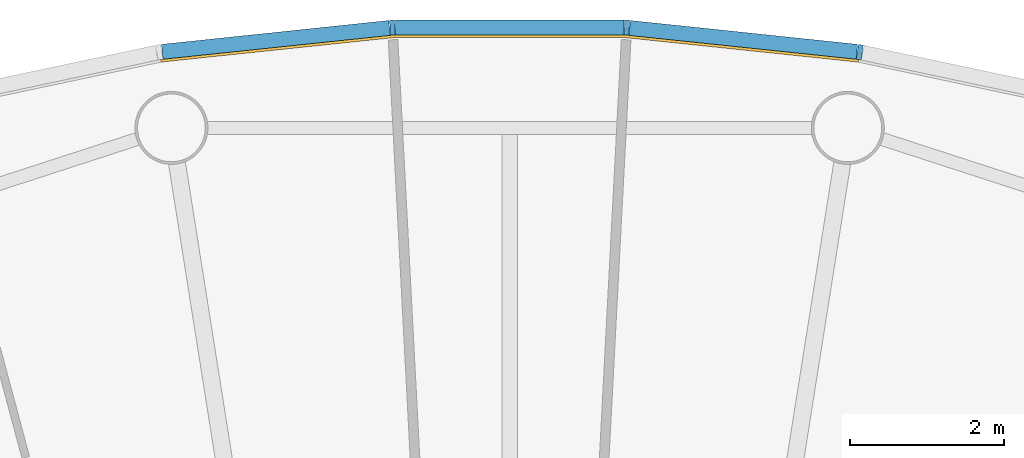
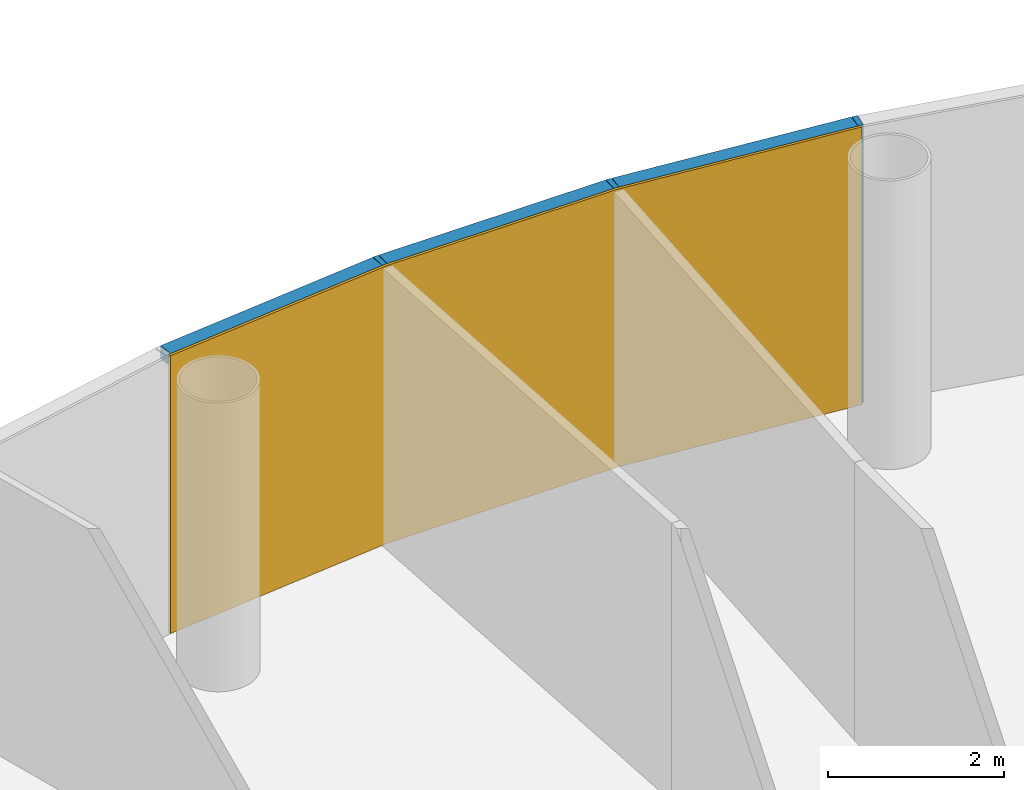
# One storey, part 11 of 13: 6 members, 1 curtain wall.
"""IFC4 building model written with IfcOpenShell, lengths in metres."""

from ifc_helpers import new_model, si_unit, direction, frame, origin, origin_2d, place, context, subcontext, project, spatial, polyline, rectangle, outline, extrude, material, layer, layer_set, material_profile, profile_set, type_object, element, aggregate, save


model = new_model("IFC4")

# Units and contexts
model_context = context("Model", 3, precision=1e-05, world=origin(), true_north=direction((0.0, 1.0)))
body_context = subcontext(model_context, "Body", "Model", "MODEL_VIEW")
ifc_project = project(units=[si_unit("LENGTHUNIT", "METRE"), si_unit("AREAUNIT", "SQUARE_METRE"), si_unit("VOLUMEUNIT", "CUBIC_METRE"), si_unit("PLANEANGLEUNIT", "RADIAN"), si_unit("MASSUNIT", "GRAM", prefix="KILO")], contexts=[model_context])

# Member
ifc_material_1 = material(Name="Anodised aluminium", Category="aluminium")
ifc_material_profile_1 = material_profile(ifc_material_1, rectangle(XDim=0.06494140625, YDim=0.195068359375, at=origin_2d()), Name="Mullion 65 x 195 mm anodised aluminium")
ifc_profile_set_1 = profile_set([ifc_material_profile_1], Name="Anodised aluminium")
member_type_1 = type_object("IfcMemberType", Name="Mullion 65 x 195 mm anodised aluminium", PredefinedType="MULLION", material=ifc_profile_set_1)
site_placement = place(None, origin())
building_placement = place(site_placement, origin())
storey_placement = place(building_placement, frame((0.0, 0.0, 318.0)))
member_1_placement = place(storey_placement, frame((94.5517578125, 108.7392578125, 0.0), z_axis=(0.0, 0.0, 1.0), x_axis=(-0.987688340595, 0.15643446504, 0.0)))
member_1 = element("IfcMember", 1, at=member_1_placement, type_object=member_type_1, Name="MULLION L73-12", PredefinedType="MULLION", context=body_context, shape_type="SweptSolid", body=[
    extrude(rectangle(XDim=0.06494140625, YDim=0.195068359375, at=origin_2d()), origin(), (0.0, 0.0, 1.0), 3.85009765625),
])

member_2_placement = place(storey_placement, frame((91.52294921875, 109.0576171875, 0.0), z_axis=(0.0, 0.0, 1.0), x_axis=(-0.998629534755, 0.052335956243, 0.0)))
member_2 = element("IfcMember", 2, at=member_2_placement, type_object=member_type_1, Name="MULLION L73-13", PredefinedType="MULLION", context=body_context, shape_type="SweptSolid", body=[
    extrude(rectangle(XDim=0.06494140625, YDim=0.195068359375, at=origin_2d()), origin(), (0.0, 0.0, 1.0), 3.85009765625),
])

member_3_placement = place(storey_placement, frame((88.47705078125, 109.0576171875, 0.0), z_axis=(0.0, 0.0, 1.0), x_axis=(-0.998629534755, -0.052335956243, 0.0)))
member_3 = element("IfcMember", 3, at=member_3_placement, type_object=member_type_1, Name="MULLION L73-14", PredefinedType="MULLION", context=body_context, shape_type="SweptSolid", body=[
    extrude(rectangle(XDim=0.06494140625, YDim=0.195068359375, at=origin_2d()), origin(), (0.0, 0.0, 1.0), 3.85009765625),
])

ifc_material_2 = material(Name="Anodised aluminium", Category="aluminium")
ifc_material_profile_2 = material_profile(ifc_material_2, rectangle(XDim=0.195068359375, YDim=0.179931640625, at=origin_2d()), Name="Transom 180 x 195 mm anodised aluminium")
ifc_profile_set_2 = profile_set([ifc_material_profile_2], Name="Anodised aluminium")
member_type_2 = type_object("IfcMemberType", Name="Transom 180 x 195 mm anodised aluminium", PredefinedType="USERDEFINED", material=ifc_profile_set_2)
member_4_placement = place(storey_placement, frame((94.514404296875, 108.743408203125, 3.760009765625), z_axis=(-0.994528397827, 0.104466577987, 0.0), x_axis=(-0.104466577987, -0.994528397827, 0.0)))
member_4 = element("IfcMember", 4, at=member_4_placement, type_object=member_type_2, Name="TRANSOM L73-12", ObjectType="TRANSOM", PredefinedType="USERDEFINED", context=body_context, shape_type="SweptSolid", body=[
    extrude(rectangle(XDim=0.195068359375, YDim=0.179931640625, at=origin_2d()), origin(), (0.0, 0.0, 1.0), 2.970458984375),
])

member_5_placement = place(storey_placement, frame((91.4853515625, 109.057861328125, 3.760009765625), z_axis=(-1.0, 0.0, 0.0), x_axis=(0.0, -1.0, 0.0)))
member_5 = element("IfcMember", 5, at=member_5_placement, type_object=member_type_2, Name="TRANSOM L73-13", ObjectType="TRANSOM", PredefinedType="USERDEFINED", context=body_context, shape_type="SweptSolid", body=[
    extrude(rectangle(XDim=0.195068359375, YDim=0.179931640625, at=origin_2d()), origin(), (0.0, 0.0, 1.0), 2.970703125),
])

member_6_placement = place(storey_placement, frame((88.439697265625, 109.0537109375, 3.760009765625), z_axis=(-0.994528397827, -0.104466577987, 0.0), x_axis=(0.104466577987, -0.994528397827, 0.0)))
member_6 = element("IfcMember", 6, at=member_6_placement, type_object=member_type_2, Name="TRANSOM L73-14", ObjectType="TRANSOM", PredefinedType="USERDEFINED", context=body_context, shape_type="SweptSolid", body=[
    extrude(rectangle(XDim=0.195068359375, YDim=0.179931640625, at=origin_2d()), origin(), (0.0, 0.0, 1.0), 2.970458984375),
])

# Site, building, storey
site = spatial("IfcSite", under=ifc_project, at=site_placement, CompositionType="ELEMENT")
building = spatial("IfcBuilding", under=site, at=building_placement, Name="Entoto Ring Tower", CompositionType="ELEMENT")
storey = spatial("IfcBuildingStorey", under=building, at=storey_placement, Name="L73", CompositionType="ELEMENT", Elevation=318.0)

# Curtain wall
ifc_material_3 = material(Name="Clear low-iron glass", Category="glass")
ifc_layer = layer(ifc_material_3, 0.033935546875)
ifc_layer_set = layer_set([ifc_layer], Name="Clear low-iron glass")
curtain_wall_type = type_object("IfcCurtainWallType", Name="Curtain wall system CW5 glazing 34 mm", PredefinedType="NOTDEFINED", material=ifc_layer_set)
curtain_wall_placement = place(storey_placement, origin())
curtain_wall = element("IfcCurtainWall", 7, at=curtain_wall_placement, inside=storey, type_object=curtain_wall_type, Name="CW5 L73-05", PredefinedType="NOTDEFINED", context=body_context, shape_type="SweptSolid", body=[
    extrude(outline(polyline([(94.53662109375, 108.64306640625), (91.517822265625, 108.960205078125), (88.482177734375, 108.960205078125), (85.46337890625, 108.64306640625), (85.46875, 108.609375), (88.484130859375, 108.92626953125), (91.515869140625, 108.92626953125), (94.53125, 108.609375), (94.53662109375, 108.64306640625)])), origin(), (0.0, 0.0, 1.0), 3.85009765625),
])

aggregate(curtain_wall, [member_1, member_2, member_3, member_4, member_5, member_6])

save(model, "model.ifc")
